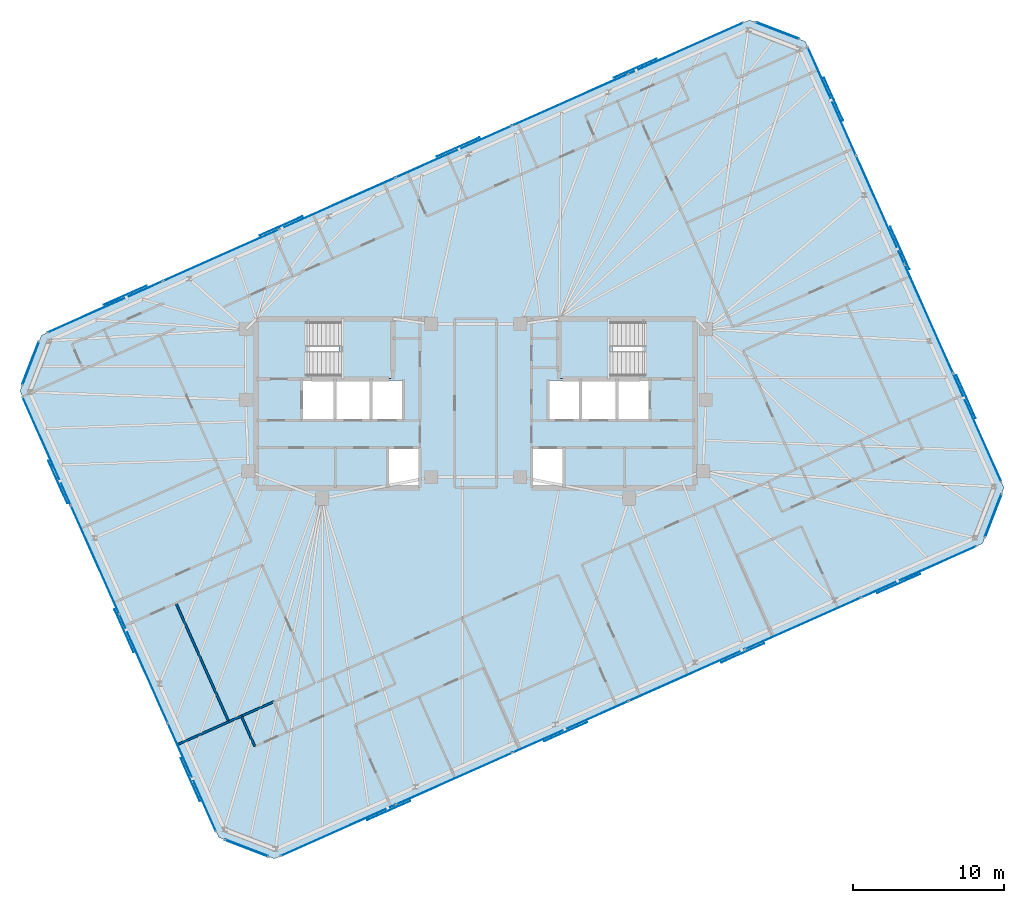
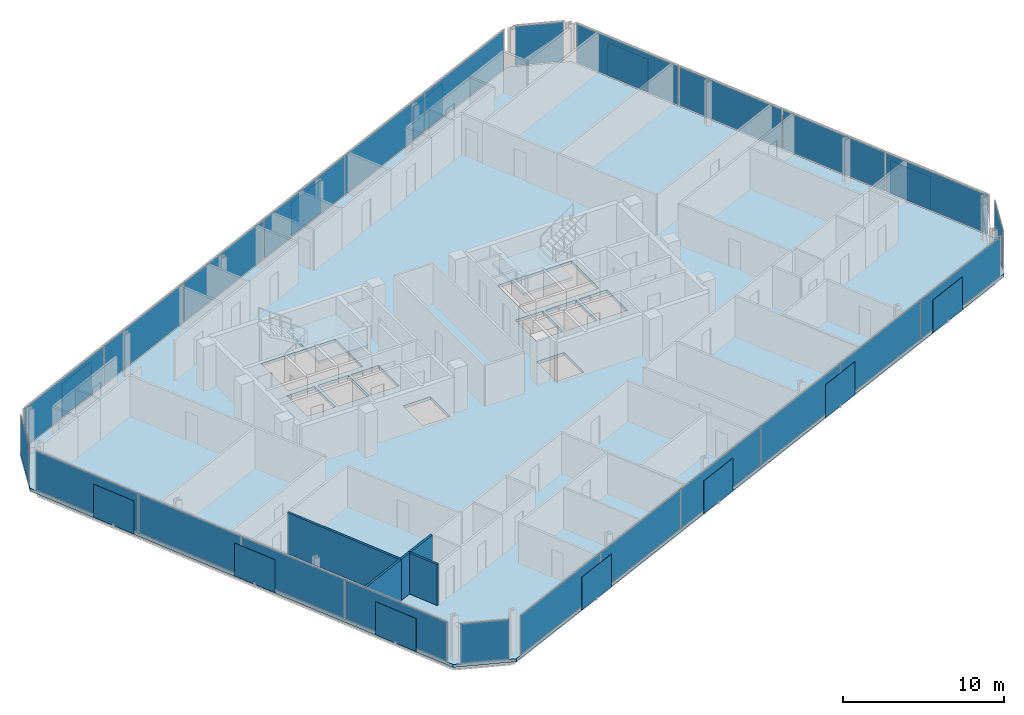
# One storey, part 12 of 18: 38 plates, 5 walls, 3 slabs, 10 elements without a shape of their own.
"""IFC4 building model written with IfcOpenShell, lengths in metres."""

from ifc_helpers import new_model, si_unit, direction, frame, frame_2d, origin, origin_2d, place, context, subcontext, project, spatial, polyline, rectangle, outline, extrude, material, layer, layer_set, type_object, element, aggregate, save


model = new_model("IFC4")

# Units and contexts
model_context = context("Model", 3, precision=1e-05, world=origin(), true_north=direction((0.0, 1.0)))
body_context = subcontext(model_context, "Body", "Model", "MODEL_VIEW")
ifc_project = project(units=[si_unit("LENGTHUNIT", "METRE"), si_unit("AREAUNIT", "SQUARE_METRE"), si_unit("VOLUMEUNIT", "CUBIC_METRE"), si_unit("PLANEANGLEUNIT", "RADIAN"), si_unit("MASSUNIT", "GRAM", prefix="KILO")], contexts=[model_context])

# Site, building, storey
site_placement = place(None, origin())
site = spatial("IfcSite", under=ifc_project, at=site_placement, CompositionType="ELEMENT")
building_placement = place(site_placement, origin())
building = spatial("IfcBuilding", under=site, at=building_placement, Name="Menara Jurai Vektor", CompositionType="ELEMENT")
storey_placement = place(building_placement, frame((0.0, 0.0, 272.25)))
storey = spatial("IfcBuildingStorey", under=building, at=storey_placement, Name="L73", CompositionType="ELEMENT", Elevation=272.25)

# Curtain wall, plates
ifc_material_1 = material(Name="Anodised Pale Aluminium & Low-E Double Glazing", Category="aluminium")
curtain_wall_type = type_object("IfcCurtainWallType", Name="CW-BLK5", PredefinedType="NOTDEFINED", material=ifc_material_1)
curtain_wall_1_placement = place(storey_placement, origin())
curtain_wall_1 = element("IfcCurtainWall", 1, at=curtain_wall_1_placement, inside=storey, type_object=curtain_wall_type, Name="Unitised Curtain Wall L73 F01", PredefinedType="NOTDEFINED")
ifc_material_2 = material(Name="Low-E Solar-Control Double Glazed Unit", Category="glass")
ifc_layer_1 = layer(ifc_material_2, 0.028076171875)
ifc_layer_set_1 = layer_set([ifc_layer_1], Name="Low-E Solar-Control Double Glazed Unit")
plate_type_1 = type_object("IfcPlateType", Name="CW-BLK5-PNL", PredefinedType="CURTAIN_PANEL", material=ifc_layer_set_1)
plate_1_placement = place(storey_placement, frame((-9.130615234375, -28.331787109375, 0.0751953125), z_axis=(0.0, 0.0, 1.0), x_axis=(0.913545967158, 0.406735498684, 0.0)))
plate_1 = element("IfcPlate", 2, at=plate_1_placement, type_object=plate_type_1, Name="CW-05 panel 1.1", PredefinedType="CURTAIN_PANEL", context=body_context, shape_type="SweptSolid", body=[
    extrude(rectangle(XDim=8.327392578125, YDim=0.028076171875, at=origin_2d()), origin(), (0.0, 0.0, 1.0), 2.949951171875),
])
plate_2_placement = place(storey_placement, frame((-1.4375, -24.90673828125, 0.0751953125), z_axis=(0.0, 0.0, 1.0), x_axis=(0.913545967158, 0.406735498684, 0.0)))
plate_2 = element("IfcPlate", 3, at=plate_2_placement, type_object=plate_type_1, Name="CW-05 panel 2.1", PredefinedType="CURTAIN_PANEL", context=body_context, shape_type="SweptSolid", body=[
    extrude(rectangle(XDim=8.364990234375, YDim=0.028076171875, at=origin_2d()), origin(), (0.0, 0.0, 1.0), 2.949951171875),
])
plate_3_placement = place(storey_placement, frame((6.27294921875, -21.473876953125, 0.0751953125), z_axis=(0.0, 0.0, 1.0), x_axis=(0.913545967158, 0.406735498684, 0.0)))
plate_3 = element("IfcPlate", 4, at=plate_3_placement, type_object=plate_type_1, Name="CW-05 panel 3.1", PredefinedType="CURTAIN_PANEL", context=body_context, shape_type="SweptSolid", body=[
    extrude(rectangle(XDim=8.364990234375, YDim=0.028076171875, at=origin_2d()), origin(), (0.0, 0.0, 1.0), 2.949951171875),
])
plate_4_placement = place(storey_placement, frame((13.983154296875, -18.041015625, 0.0751953125), z_axis=(0.0, 0.0, 1.0), x_axis=(0.913545967158, 0.406735498684, 0.0)))
plate_4 = element("IfcPlate", 5, at=plate_4_placement, type_object=plate_type_1, Name="CW-05 panel 4.1", PredefinedType="CURTAIN_PANEL", context=body_context, shape_type="SweptSolid", body=[
    extrude(rectangle(XDim=8.364990234375, YDim=0.028076171875, at=origin_2d()), origin(), (0.0, 0.0, 1.0), 2.949951171875),
])
plate_5_placement = place(storey_placement, frame((21.693603515625, -14.608154296875, 0.0751953125), z_axis=(0.0, 0.0, 1.0), x_axis=(0.913545967158, 0.406735498684, 0.0)))
plate_5 = element("IfcPlate", 6, at=plate_5_placement, type_object=plate_type_1, Name="CW-05 panel 5.1", PredefinedType="CURTAIN_PANEL", context=body_context, shape_type="SweptSolid", body=[
    extrude(rectangle(XDim=8.364990234375, YDim=0.028076171875, at=origin_2d()), origin(), (0.0, 0.0, 1.0), 2.949951171875),
])
plate_6_placement = place(storey_placement, frame((29.38671875, -11.182861328125, 0.0751953125), z_axis=(0.0, 0.0, 1.0), x_axis=(0.913545967158, 0.406735498684, 0.0)))
plate_6 = element("IfcPlate", 7, at=plate_6_placement, type_object=plate_type_1, Name="CW-05 panel 6.1", PredefinedType="CURTAIN_PANEL", context=body_context, shape_type="SweptSolid", body=[
    extrude(rectangle(XDim=8.327392578125, YDim=0.028076171875, at=origin_2d()), origin(), (0.0, 0.0, 1.0), 2.949951171875),
])
aggregate(curtain_wall_1, [plate_1, plate_2, plate_3, plate_4, plate_5, plate_6])

curtain_wall_2_placement = place(storey_placement, origin())
curtain_wall_2 = element("IfcCurtainWall", 8, at=curtain_wall_2_placement, inside=storey, type_object=curtain_wall_type, Name="Unitised Curtain Wall L73 F03", PredefinedType="NOTDEFINED")
plate_7_placement = place(storey_placement, frame((33.25439453125, -1.630126953125, 0.0751953125), z_axis=(0.0, 0.0, 1.0), x_axis=(-0.406735138086, 0.913546127706, 0.0)))
plate_7 = element("IfcPlate", 9, at=plate_7_placement, type_object=plate_type_1, Name="CW-05 panel 1.1", PredefinedType="CURTAIN_PANEL", context=body_context, shape_type="SweptSolid", body=[
    extrude(rectangle(XDim=7.797607421875, YDim=0.028076171875, at=origin_2d()), origin(), (0.0, 0.0, 1.0), 2.949951171875),
])
plate_8_placement = place(storey_placement, frame((30.044677734375, 5.578857421875, 0.0751953125), z_axis=(0.0, 0.0, 1.0), x_axis=(-0.406735138086, 0.913546127706, 0.0)))
plate_8 = element("IfcPlate", 10, at=plate_8_placement, type_object=plate_type_1, Name="CW-05 panel 2.1", PredefinedType="CURTAIN_PANEL", context=body_context, shape_type="SweptSolid", body=[
    extrude(rectangle(XDim=7.8349609375, YDim=0.028076171875, at=origin_2d()), origin(), (0.0, 0.0, 1.0), 2.949951171875),
])
plate_9_placement = place(storey_placement, frame((26.827392578125, 12.80517578125, 0.0751953125), z_axis=(0.0, 0.0, 1.0), x_axis=(-0.406735138086, 0.913546127706, 0.0)))
plate_9 = element("IfcPlate", 11, at=plate_9_placement, type_object=plate_type_1, Name="CW-05 panel 3.1", PredefinedType="CURTAIN_PANEL", context=body_context, shape_type="SweptSolid", body=[
    extrude(rectangle(XDim=7.8349609375, YDim=0.028076171875, at=origin_2d()), origin(), (0.0, 0.0, 1.0), 2.949951171875),
])
plate_10_placement = place(storey_placement, frame((23.61767578125, 20.01416015625, 0.0751953125), z_axis=(0.0, 0.0, 1.0), x_axis=(-0.406735138086, 0.913546127706, 0.0)))
plate_10 = element("IfcPlate", 12, at=plate_10_placement, type_object=plate_type_1, Name="CW-05 panel 4.1", PredefinedType="CURTAIN_PANEL", context=body_context, shape_type="SweptSolid", body=[
    extrude(rectangle(XDim=7.797607421875, YDim=0.028076171875, at=origin_2d()), origin(), (0.0, 0.0, 1.0), 2.949951171875),
])
aggregate(curtain_wall_2, [plate_7, plate_8, plate_9, plate_10])

curtain_wall_3_placement = place(storey_placement, origin())
curtain_wall_3 = element("IfcCurtainWall", 13, at=curtain_wall_3_placement, inside=storey, type_object=curtain_wall_type, Name="Unitised Curtain Wall L73 F05", PredefinedType="NOTDEFINED")
plate_11_placement = place(storey_placement, frame((13.9306640625, 23.53173828125, 0.0751953125), z_axis=(0.0, 0.0, 1.0), x_axis=(-0.913545967158, -0.406735498684, 0.0)))
plate_11 = element("IfcPlate", 14, at=plate_11_placement, type_object=plate_type_1, Name="CW-05 panel 1.1", PredefinedType="CURTAIN_PANEL", context=body_context, shape_type="SweptSolid", body=[
    extrude(rectangle(XDim=8.327392578125, YDim=0.028076171875, at=origin_2d()), origin(), (0.0, 0.0, 1.0), 2.949951171875),
])
plate_12_placement = place(storey_placement, frame((6.237548828125, 20.106689453125, 0.0751953125), z_axis=(0.0, 0.0, 1.0), x_axis=(-0.913545967158, -0.406735498684, 0.0)))
plate_12 = element("IfcPlate", 15, at=plate_12_placement, type_object=plate_type_1, Name="CW-05 panel 2.1", PredefinedType="CURTAIN_PANEL", context=body_context, shape_type="SweptSolid", body=[
    extrude(rectangle(XDim=8.364990234375, YDim=0.028076171875, at=origin_2d()), origin(), (0.0, 0.0, 1.0), 2.949951171875),
])
plate_13_placement = place(storey_placement, frame((-1.472900390625, 16.673828125, 0.0751953125), z_axis=(0.0, 0.0, 1.0), x_axis=(-0.913545967158, -0.406735498684, 0.0)))
plate_13 = element("IfcPlate", 16, at=plate_13_placement, type_object=plate_type_1, Name="CW-05 panel 3.1", PredefinedType="CURTAIN_PANEL", context=body_context, shape_type="SweptSolid", body=[
    extrude(rectangle(XDim=8.364990234375, YDim=0.028076171875, at=origin_2d()), origin(), (0.0, 0.0, 1.0), 2.949951171875),
])
plate_14_placement = place(storey_placement, frame((-9.18310546875, 13.240966796875, 0.0751953125), z_axis=(0.0, 0.0, 1.0), x_axis=(-0.913545967158, -0.406735498684, 0.0)))
plate_14 = element("IfcPlate", 17, at=plate_14_placement, type_object=plate_type_1, Name="CW-05 panel 4.1", PredefinedType="CURTAIN_PANEL", context=body_context, shape_type="SweptSolid", body=[
    extrude(rectangle(XDim=8.364990234375, YDim=0.028076171875, at=origin_2d()), origin(), (0.0, 0.0, 1.0), 2.949951171875),
])
plate_15_placement = place(storey_placement, frame((-16.8935546875, 9.80810546875, 0.0751953125), z_axis=(0.0, 0.0, 1.0), x_axis=(-0.913545967158, -0.406735498684, 0.0)))
plate_15 = element("IfcPlate", 18, at=plate_15_placement, type_object=plate_type_1, Name="CW-05 panel 5.1", PredefinedType="CURTAIN_PANEL", context=body_context, shape_type="SweptSolid", body=[
    extrude(rectangle(XDim=8.364990234375, YDim=0.028076171875, at=origin_2d()), origin(), (0.0, 0.0, 1.0), 2.949951171875),
])
plate_16_placement = place(storey_placement, frame((-24.586669921875, 6.3828125, 0.0751953125), z_axis=(0.0, 0.0, 1.0), x_axis=(-0.913545967158, -0.406735498684, 0.0)))
plate_16 = element("IfcPlate", 19, at=plate_16_placement, type_object=plate_type_1, Name="CW-05 panel 6.1", PredefinedType="CURTAIN_PANEL", context=body_context, shape_type="SweptSolid", body=[
    extrude(rectangle(XDim=8.327392578125, YDim=0.028076171875, at=origin_2d()), origin(), (0.0, 0.0, 1.0), 2.949951171875),
])
aggregate(curtain_wall_3, [plate_11, plate_12, plate_13, plate_14, plate_15, plate_16])

curtain_wall_4_placement = place(storey_placement, origin())
curtain_wall_4 = element("IfcCurtainWall", 20, at=curtain_wall_4_placement, inside=storey, type_object=curtain_wall_type, Name="Unitised Curtain Wall L73 F07", PredefinedType="NOTDEFINED")
plate_17_placement = place(storey_placement, frame((-28.454345703125, -3.169921875, 0.0751953125), z_axis=(0.0, 0.0, 1.0), x_axis=(0.406735138086, -0.913546127706, 0.0)))
plate_17 = element("IfcPlate", 21, at=plate_17_placement, type_object=plate_type_1, Name="CW-05 panel 1.1", PredefinedType="CURTAIN_PANEL", context=body_context, shape_type="SweptSolid", body=[
    extrude(rectangle(XDim=7.797607421875, YDim=0.028076171875, at=origin_2d()), origin(), (0.0, 0.0, 1.0), 2.949951171875),
])
plate_18_placement = place(storey_placement, frame((-25.24462890625, -10.37890625, 0.0751953125), z_axis=(0.0, 0.0, 1.0), x_axis=(0.406735138086, -0.913546127706, 0.0)))
plate_18 = element("IfcPlate", 22, at=plate_18_placement, type_object=plate_type_1, Name="CW-05 panel 2.1", PredefinedType="CURTAIN_PANEL", context=body_context, shape_type="SweptSolid", body=[
    extrude(rectangle(XDim=7.8349609375, YDim=0.028076171875, at=origin_2d()), origin(), (0.0, 0.0, 1.0), 2.949951171875),
])
plate_19_placement = place(storey_placement, frame((-22.02734375, -17.60498046875, 0.0751953125), z_axis=(0.0, 0.0, 1.0), x_axis=(0.406735138086, -0.913546127706, 0.0)))
plate_19 = element("IfcPlate", 23, at=plate_19_placement, type_object=plate_type_1, Name="CW-05 panel 3.1", PredefinedType="CURTAIN_PANEL", context=body_context, shape_type="SweptSolid", body=[
    extrude(rectangle(XDim=7.8349609375, YDim=0.028076171875, at=origin_2d()), origin(), (0.0, 0.0, 1.0), 2.949951171875),
])
plate_20_placement = place(storey_placement, frame((-18.81787109375, -24.814208984375, 0.0751953125), z_axis=(0.0, 0.0, 1.0), x_axis=(0.406735138086, -0.913546127706, 0.0)))
plate_20 = element("IfcPlate", 24, at=plate_20_placement, type_object=plate_type_1, Name="CW-05 panel 4.1", PredefinedType="CURTAIN_PANEL", context=body_context, shape_type="SweptSolid", body=[
    extrude(rectangle(XDim=7.797607421875, YDim=0.028076171875, at=origin_2d()), origin(), (0.0, 0.0, 1.0), 2.949951171875),
])
aggregate(curtain_wall_4, [plate_17, plate_18, plate_19, plate_20])

# Curtain wall, plate
curtain_wall_5_placement = place(storey_placement, origin())
curtain_wall_5 = element("IfcCurtainWall", 25, at=curtain_wall_5_placement, inside=storey, type_object=curtain_wall_type, Name="Unitised Curtain Wall L73 F02", PredefinedType="NOTDEFINED")
ifc_material_3 = material(Name="Insulated Pale Aluminium Spandrel Panel", Category="aluminium")
ifc_layer_2 = layer(ifc_material_3, 0.06005859375)
ifc_layer_set_2 = layer_set([ifc_layer_2], Name="Insulated Pale Aluminium Spandrel Panel")
plate_type_2 = type_object("IfcPlateType", Name="CW-PNL-SP", PredefinedType="CURTAIN_PANEL", material=ifc_layer_set_2)
plate_21_placement = place(storey_placement, frame((34.315673828125, -7.455810546875, 0.0751953125), z_axis=(0.0, 0.0, 1.0), x_axis=(0.358373766287, 0.933578193639, 0.0)))
plate_21 = element("IfcPlate", 26, at=plate_21_placement, type_object=plate_type_2, Name="CW-05 panel 1.1", PredefinedType="CURTAIN_PANEL", context=body_context, shape_type="SweptSolid", body=[
    extrude(rectangle(XDim=3.0498046875, YDim=0.06005859375, at=origin_2d()), origin(), (0.0, 0.0, 1.0), 2.949951171875),
])
aggregate(curtain_wall_5, [plate_21])

curtain_wall_6_placement = place(storey_placement, origin())
curtain_wall_6 = element("IfcCurtainWall", 27, at=curtain_wall_6_placement, inside=storey, type_object=curtain_wall_type, Name="Unitised Curtain Wall L73 F04", PredefinedType="NOTDEFINED")
plate_22_placement = place(storey_placement, frame((19.99853515625, 24.700927734375, 0.0751953125), z_axis=(0.0, 0.0, 1.0), x_axis=(-0.933578193639, 0.358373766287, 0.0)))
plate_22 = element("IfcPlate", 28, at=plate_22_placement, type_object=plate_type_2, Name="CW-05 panel 1.1", PredefinedType="CURTAIN_PANEL", context=body_context, shape_type="SweptSolid", body=[
    extrude(rectangle(XDim=3.0498046875, YDim=0.06005859375, at=origin_2d()), origin(), (0.0, 0.0, 1.0), 2.949951171875),
])
aggregate(curtain_wall_6, [plate_22])

curtain_wall_7_placement = place(storey_placement, origin())
curtain_wall_7 = element("IfcCurtainWall", 29, at=curtain_wall_7_placement, inside=storey, type_object=curtain_wall_type, Name="Unitised Curtain Wall L73 F06", PredefinedType="NOTDEFINED")
plate_23_placement = place(storey_placement, frame((-29.515625, 2.65576171875, 0.0751953125), z_axis=(0.0, 0.0, 1.0), x_axis=(-0.358373766287, -0.933578193639, 0.0)))
plate_23 = element("IfcPlate", 30, at=plate_23_placement, type_object=plate_type_2, Name="CW-05 panel 1.1", PredefinedType="CURTAIN_PANEL", context=body_context, shape_type="SweptSolid", body=[
    extrude(rectangle(XDim=3.0498046875, YDim=0.06005859375, at=origin_2d()), origin(), (0.0, 0.0, 1.0), 2.949951171875),
])
aggregate(curtain_wall_7, [plate_23])

curtain_wall_8_placement = place(storey_placement, origin())
curtain_wall_8 = element("IfcCurtainWall", 31, at=curtain_wall_8_placement, inside=storey, type_object=curtain_wall_type, Name="Unitised Curtain Wall L73 F08", PredefinedType="NOTDEFINED")
plate_24_placement = place(storey_placement, frame((-15.198486328125, -29.5009765625, 0.0751953125), z_axis=(0.0, 0.0, 1.0), x_axis=(0.933578193639, -0.358373766287, 0.0)))
plate_24 = element("IfcPlate", 32, at=plate_24_placement, type_object=plate_type_2, Name="CW-05 panel 1.1", PredefinedType="CURTAIN_PANEL", context=body_context, shape_type="SweptSolid", body=[
    extrude(rectangle(XDim=3.0498046875, YDim=0.06005859375, at=origin_2d()), origin(), (0.0, 0.0, 1.0), 2.949951171875),
])
aggregate(curtain_wall_8, [plate_24])

# Plates
ifc_material_4 = material(Name="Anodised Pale Aluminium Perforated Screen", Category="aluminium")
ifc_layer_3 = layer(ifc_material_4, 0.02197265625)
ifc_layer_set_3 = layer_set([ifc_layer_3], Name="Anodised Pale Aluminium Perforated Screen")
plate_type_3 = type_object("IfcPlateType", Name="ENV-PLT-SCREEN-HI", PredefinedType="USERDEFINED", material=ifc_layer_set_3)
for number, where, z_axis, x_axis, name in (
    (33, (-5.77197265625, -27.01171875, -0.050048828125), (0.0, 0.0, 1.0), (0.913545457643, 0.406736643076, 0.0), "Perforated Pale-Metal Solar Screen L73-S01"),
    (34, (5.967041015625, -21.78515625, -0.050048828125), (0.0, 0.0, 1.0), (0.913545457643, 0.406736643076, 0.0), "Perforated Pale-Metal Solar Screen L73-S02"),
    (35, (17.7060546875, -16.55859375, -0.050048828125), (0.0, 0.0, 1.0), (0.913545457643, 0.406736643076, 0.0), "Perforated Pale-Metal Solar Screen L73-S03"),
    (36, (28.036376953125, -11.958984375, -0.050048828125), (0.0, 0.0, 1.0), (0.913545457643, 0.406736643076, 0.0), "Perforated Pale-Metal Solar Screen L73-S04"),
    (37, (32.513671875, 0.4267578125, -0.050048828125), (0.0, 0.0, 1.0), (-0.406736643076, 0.913545457643, 0.0), "Perforated Pale-Metal Solar Screen L73-S05"),
    (38, (28.12109375, 10.29296875, -0.050048828125), (0.0, 0.0, 1.0), (-0.406736643076, 0.913545457643, 0.0), "Perforated Pale-Metal Solar Screen L73-S06"),
    (39, (23.728271484375, 20.1591796875, -0.050048828125), (0.0, 0.0, 1.0), (-0.406736643076, 0.913545457643, 0.0), "Perforated Pale-Metal Solar Screen L73-S07"),
    (40, (10.572021484375, 22.211669921875, -0.050048828125), (0.0, 0.0, 1.0), (-0.913545457643, -0.406736643076, 0.0), "Perforated Pale-Metal Solar Screen L73-S08"),
    (41, (-1.1669921875, 16.985107421875, -0.050048828125), (0.0, 0.0, 1.0), (-0.913545457643, -0.406736643076, 0.0), "Perforated Pale-Metal Solar Screen L73-S09"),
    (42, (-12.906005859375, 11.758544921875, -0.050048828125), (0.0, 0.0, 1.0), (-0.913545457643, -0.406736643076, 0.0), "Perforated Pale-Metal Solar Screen L73-S10"),
    (43, (-23.236328125, 7.1591796875, -0.050048828125), (0.0, 0.0, 1.0), (-0.913545457643, -0.406736643076, 0.0), "Perforated Pale-Metal Solar Screen L73-S11"),
    (44, (-27.713623046875, -5.226806640625, -0.050048828125), (0.0, 0.0, 1.0), (0.406736643076, -0.913545457643, 0.0), "Perforated Pale-Metal Solar Screen L73-S12"),
    (45, (-23.321044921875, -15.093017578125, -0.050048828125), (0.0, 0.0, 1.0), (0.406736643076, -0.913545457643, 0.0), "Perforated Pale-Metal Solar Screen L73-S13"),
    (46, (-18.92822265625, -24.959228515625, -0.050048828125), (0.0, 0.0, 1.0), (0.406736643076, -0.913545457643, 0.0), "Perforated Pale-Metal Solar Screen L73-S14"),
):
    element("IfcPlate", number, at=place(storey_placement, frame(where, z_axis=z_axis, x_axis=x_axis)), inside=storey, type_object=plate_type_3, Name=name, ObjectType="SCREEN", PredefinedType="USERDEFINED", context=body_context, shape_type="SweptSolid", body=[
        extrude(rectangle(XDim=3.10009765625, YDim=0.02197265625, at=origin_2d()), origin(), (0.0, 0.0, 1.0), 2.5),
    ])

# Stair, slab
ifc_material_5 = material(Name="Concrete C40/50", Category="concrete")
stair_type = type_object("IfcStairType", Name="STAIR-DOGLEG-1500", PredefinedType="HALF_TURN_STAIR", material=ifc_material_5)
stair_1_placement = place(storey_placement, origin())
stair_1 = element("IfcStair", 47, at=stair_1_placement, inside=storey, type_object=stair_type, Name="Protected Exit Stair ST1 L73", PredefinedType="HALF_TURN_STAIR")
ifc_layer_4 = layer(ifc_material_5, 0.199951171875)
ifc_layer_set_4 = layer_set([ifc_layer_4], Name="Concrete C40/50")
slab_type_1 = type_object("IfcSlabType", Name="STAIR-LANDING-200", PredefinedType="LANDING", material=ifc_layer_set_4)
slab_1_placement = place(storey_placement, frame((0.0, 0.0, 1.47509765625)))
slab_1 = element("IfcSlab", 48, at=slab_1_placement, type_object=slab_type_1, Name="ST1 landing 1", PredefinedType="LANDING", context=body_context, shape_type="SweptSolid", body=[
    extrude(outline(polyline([(-9.080078125, 1.64990234375), (-5.550048828125, 1.64990234375), (-5.550048828125, 5.550048828125), (-9.080078125, 5.550048828125), (-9.080078125, 1.64990234375)])), origin(), (0.0, 0.0, 1.0), 0.199951171875),
])
aggregate(stair_1, [slab_1])

stair_2_placement = place(storey_placement, origin())
stair_2 = element("IfcStair", 49, at=stair_2_placement, inside=storey, type_object=stair_type, Name="Protected Exit Stair ST2 L73", PredefinedType="HALF_TURN_STAIR")
slab_2_placement = place(storey_placement, frame((0.0, 0.0, 1.47509765625)))
slab_2 = element("IfcSlab", 50, at=slab_2_placement, type_object=slab_type_1, Name="ST2 landing 1", PredefinedType="LANDING", context=body_context, shape_type="SweptSolid", body=[
    extrude(outline(polyline([(5.550048828125, 1.64990234375), (9.080078125, 1.64990234375), (9.080078125, 5.550048828125), (5.550048828125, 5.550048828125), (5.550048828125, 1.64990234375)])), origin(), (0.0, 0.0, 1.0), 0.199951171875),
])
aggregate(stair_2, [slab_2])

# Slab
ifc_layer_5 = layer(ifc_material_5, 0.22509765625)
ifc_layer_set_5 = layer_set([ifc_layer_5], Name="Concrete C40/50")
slab_type_2 = type_object("IfcSlabType", Name="STR-SLAB-TYP200", PredefinedType="FLOOR", material=ifc_layer_set_5)
slab_3_placement = place(storey_placement, frame((0.0, 0.0, -0.22509765625)))
element("IfcSlab", 51, at=slab_3_placement, inside=storey, type_object=slab_type_2, Name="Composite Floor Slab L73", PredefinedType="FLOOR", context=body_context, shape_type="SweptSolid", body=[
    extrude(outline(polyline([(-13.35009765625, -30.21044921875), (33.606201171875, -9.30419921875), (35.025146484375, -5.607421875), (21.846923828125, 23.991455078125), (18.150146484375, 25.410400390625), (-28.80615234375, 4.504150390625), (-30.22509765625, 0.807373046875), (-17.046875, -28.79150390625), (-13.35009765625, -30.21044921875)]), holes=[polyline([(-11.10009765625, 1.89990234375), (-11.10009765625, 5.300048828125), (-5.800048828125, 5.300048828125), (-5.800048828125, 1.89990234375), (-11.10009765625, 1.89990234375)]), polyline([(5.800048828125, 1.89990234375), (5.800048828125, 5.300048828125), (11.10009765625, 5.300048828125), (11.10009765625, 1.89990234375), (5.800048828125, 1.89990234375)]), polyline([(-11.449951171875, -1.050048828125), (-11.449951171875, 1.5), (-9.449951171875, 1.5), (-9.449951171875, -1.050048828125), (-11.449951171875, -1.050048828125)]), polyline([(9.449951171875, -1.050048828125), (9.449951171875, 1.5), (11.449951171875, 1.5), (11.449951171875, -1.050048828125), (9.449951171875, -1.050048828125)]), polyline([(-5.760009765625, -5.5), (-5.760009765625, -3.050048828125), (-3.800048828125, -3.050048828125), (-3.800048828125, -5.5), (-5.760009765625, -5.5)]), polyline([(-6.85009765625, -1.050048828125), (-6.85009765625, 1.5), (-4.889892578125, 1.5), (-4.889892578125, -1.050048828125), (-6.85009765625, -1.050048828125)]), polyline([(3.800048828125, -5.5), (3.800048828125, -3.050048828125), (5.760009765625, -3.050048828125), (5.760009765625, -5.5), (3.800048828125, -5.5)]), polyline([(4.889892578125, -1.050048828125), (4.889892578125, 1.5), (6.85009765625, 1.5), (6.85009765625, -1.050048828125), (4.889892578125, -1.050048828125)]), polyline([(-9.25, -1.050048828125), (-9.25, 1.5), (-7.050048828125, 1.5), (-7.050048828125, -1.050048828125), (-9.25, -1.050048828125)]), polyline([(7.050048828125, -1.050048828125), (7.050048828125, 1.5), (9.25, 1.5), (9.25, -1.050048828125), (7.050048828125, -1.050048828125)])]), origin(), (0.0, 0.0, 1.0), 0.22509765625),
])

# Walls
ifc_material_6 = material(Name="Gypsum Fireboard Partition", Category="gypsum")
ifc_layer_6 = layer(ifc_material_6, 0.14990234375)
ifc_layer_set_6 = layer_set([ifc_layer_6], Name="Gypsum Fireboard Partition")
wall_type = type_object("IfcWallType", Name="INT-WALL-CORR-150", PredefinedType="PARTITIONING", material=ifc_layer_set_6)
wall_1_placement = place(storey_placement, frame((-14.651611328125, -22.7607421875, 0.0), z_axis=(0.0, 0.0, 1.0), x_axis=(-0.406725294076, 0.913550510459, 0.0)))
element("IfcWall", 52, at=wall_1_placement, inside=storey, type_object=wall_type, Name="Interior Wall IW-150 L73", PredefinedType="PARTITIONING", context=body_context, shape_type="SweptSolid", body=[
    extrude(rectangle(XDim=2.199951171875, YDim=0.14990234375, at=frame_2d((1.10009765625, 0.0))), origin(), (0.0, 0.0, 1.0), 3.10009765625),
])
wall_2_placement = place(storey_placement, frame((-19.786376953125, -22.638671875, 0.0), z_axis=(0.0, 0.0, 1.0), x_axis=(0.913549333679, 0.406727937244, 0.0)))
element("IfcWall", 53, at=wall_2_placement, inside=storey, type_object=wall_type, Name="Interior Wall IW-150 L73", PredefinedType="PARTITIONING", context=body_context, shape_type="SweptSolid", body=[
    extrude(rectangle(XDim=3.72705078125, YDim=0.14990234375, at=frame_2d((1.863525390625, 0.0))), origin(), (0.0, 0.0, 1.0), 3.10009765625),
])
wall_3_placement = place(storey_placement, frame((-16.381591796875, -21.122802734375, 0.0), z_axis=(0.0, 0.0, 1.0), x_axis=(0.913558091922, 0.406708264834, 0.0)))
element("IfcWall", 54, at=wall_3_placement, inside=storey, type_object=wall_type, Name="Interior Wall IW-150 L73", PredefinedType="PARTITIONING", context=body_context, shape_type="SweptSolid", body=[
    extrude(rectangle(XDim=0.914306640625, YDim=0.14990234375, at=frame_2d((0.45703125, 0.0))), origin(), (0.0, 0.0, 1.0), 3.10009765625),
])
wall_4_placement = place(storey_placement, frame((-15.54638671875, -20.7509765625, 0.0), z_axis=(0.0, 0.0, 1.0), x_axis=(0.913541436194, 0.406745675276, 0.0)))
element("IfcWall", 55, at=wall_4_placement, inside=storey, type_object=wall_type, Name="Interior Wall IW-150 L73", PredefinedType="PARTITIONING", context=body_context, shape_type="SweptSolid", body=[
    extrude(rectangle(XDim=2.349853515625, YDim=0.14990234375, at=frame_2d((1.1748046875, 0.0))), origin(), (0.0, 0.0, 1.0), 3.10009765625),
])
wall_5_placement = place(storey_placement, frame((-16.381591796875, -21.122802734375, 0.0), z_axis=(0.0, 0.0, 1.0), x_axis=(-0.406727374199, 0.913549584356, 0.0)))
element("IfcWall", 56, at=wall_5_placement, inside=storey, type_object=wall_type, Name="Interior Wall IW-150 L73", PredefinedType="PARTITIONING", context=body_context, shape_type="SweptSolid", body=[
    extrude(rectangle(XDim=8.614990234375, YDim=0.14990234375, at=frame_2d((4.3076171875, 0.0))), origin(), (0.0, 0.0, 1.0), 3.10009765625),
])

save(model, "model.ifc")
